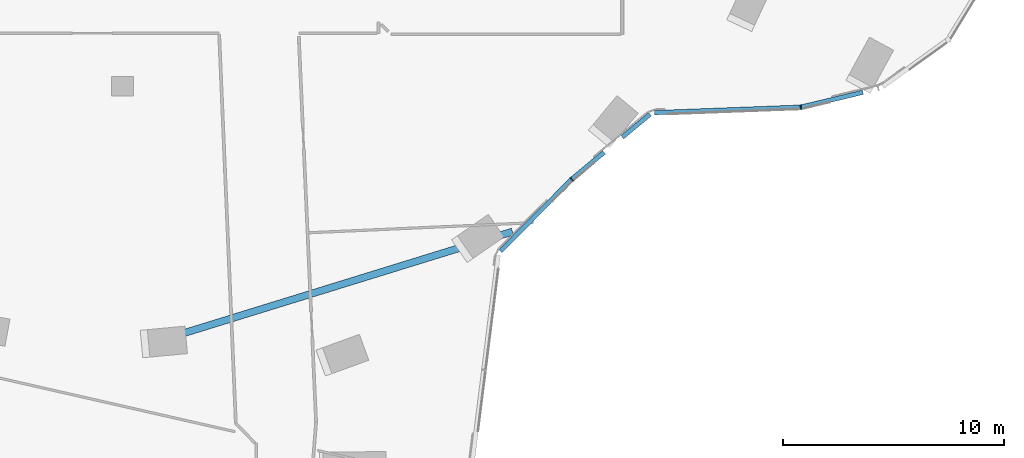
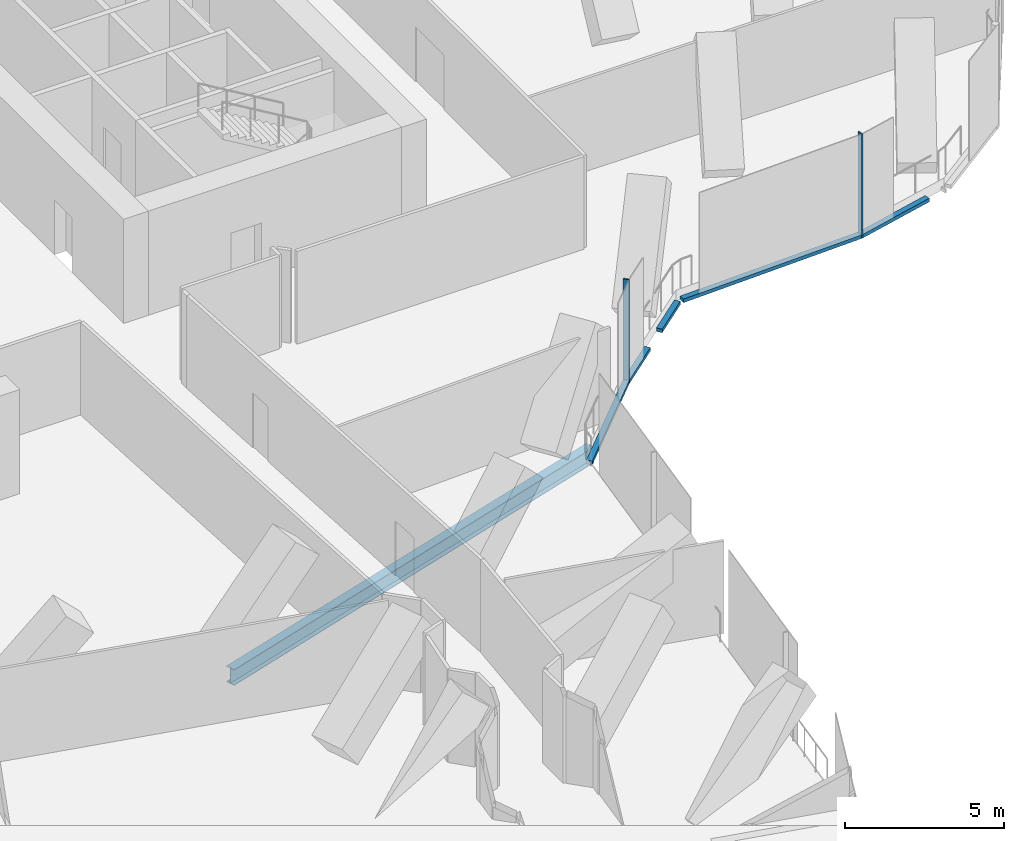
# One storey, part 7 of 29: 7 members, 1 beam, 4 elements without a shape of their own.
"""IFC4 building model written with IfcOpenShell, lengths in metres."""

from ifc_helpers import new_model, si_unit, direction, frame, origin, origin_2d, place, context, subcontext, project, spatial, rectangle, i_section, extrude, material, material_profile, profile_set, type_object, element, aggregate, save


model = new_model("IFC4")

# Units and contexts
model_context = context("Model", 3, precision=1e-05, world=origin(), true_north=direction((0.0, 1.0)))
body_context = subcontext(model_context, "Body", "Model", "MODEL_VIEW")
ifc_project = project(units=[si_unit("LENGTHUNIT", "METRE"), si_unit("AREAUNIT", "SQUARE_METRE"), si_unit("VOLUMEUNIT", "CUBIC_METRE"), si_unit("PLANEANGLEUNIT", "RADIAN"), si_unit("MASSUNIT", "GRAM", prefix="KILO")], contexts=[model_context])

# Site, building, storey
site_placement = place(None, origin())
site = spatial("IfcSite", under=ifc_project, at=site_placement, CompositionType="ELEMENT")
building_placement = place(site_placement, origin())
building = spatial("IfcBuilding", under=site, at=building_placement, Name="Orlundy Tower", CompositionType="ELEMENT")
storey_placement = place(building_placement, frame((0.0, 0.0, 184.60009765625)))
storey = spatial("IfcBuildingStorey", under=building, at=storey_placement, Name="L48", CompositionType="ELEMENT", Elevation=184.60009765625)

# Beam
ifc_material_1 = material(Name="Steel ASTM A992 Gr 50", Category="steel")
ifc_material_profile_1 = material_profile(ifc_material_1, i_section(OverallWidth=0.32373046875, OverallDepth=0.611083984375, WebThickness=0.0126953125, FlangeThickness=0.01904296875, at=origin_2d()), Name="W24X104")
ifc_profile_set_1 = profile_set([ifc_material_profile_1], Name="Steel ASTM A992 Gr 50")
beam_type = type_object("IfcBeamType", Name="CANTILEVER GIRDER beam W24X104", PredefinedType="BEAM", material=ifc_profile_set_1)
beam_placement = place(storey_placement, frame((17.67236328125, -24.5947265625, -0.7255859375), z_axis=(-0.955444160686, -0.295171908912, 0.0), x_axis=(0.295171908912, -0.955444160686, 0.0)))
element("IfcBeam", 1, at=beam_placement, inside=storey, type_object=beam_type, Name="Cantilever girder C-H09 L48", PredefinedType="BEAM", context=body_context, shape_type="SweptSolid", body=[
    extrude(i_section(OverallWidth=0.32373046875, OverallDepth=0.611083984375, WebThickness=0.0126953125, FlangeThickness=0.01904296875, at=origin_2d()), origin(), (0.0, 0.0, 1.0), 16.646484375),
])

# Curtain wall, member
ifc_material_2 = material(Name="Aluminium bronze anodised", Category="aluminium")
curtain_wall_type = type_object("IfcCurtainWallType", Name="CW5 wall", PredefinedType="NOTDEFINED", material=ifc_material_2)
curtain_wall_1_placement = place(storey_placement, origin())
curtain_wall_1 = element("IfcCurtainWall", 2, at=curtain_wall_1_placement, inside=storey, type_object=curtain_wall_type, Name="CW5 run 029", PredefinedType="NOTDEFINED")
ifc_material_3 = material(Name="Aluminium bronze anodised", Category="aluminium")
ifc_material_profile_2 = material_profile(ifc_material_3, rectangle(XDim=0.199951171875, YDim=0.050048828125, at=origin_2d()), Name="CW5 mullion 50x200")
ifc_profile_set_2 = profile_set([ifc_material_profile_2], Name="Aluminium bronze anodised")
member_type_1 = type_object("IfcMemberType", Name="CW5 mullion 50x200", PredefinedType="MULLION", material=ifc_profile_set_2)
member_1_placement = place(storey_placement, frame((30.74853515625, -18.95166015625, -0.420166015625), z_axis=(0.0, 0.0, 1.0), x_axis=(0.135671936692, -0.990753816846, 0.0)))
member_1 = element("IfcMember", 3, at=member_1_placement, type_object=member_type_1, Name="CW5 mullion 42", PredefinedType="MULLION", context=body_context, shape_type="SweptSolid", body=[
    extrude(rectangle(XDim=0.199951171875, YDim=0.050048828125, at=origin_2d()), origin(), (0.0, 0.0, 1.0), 4.0),
])

curtain_wall_2_placement = place(storey_placement, origin())
curtain_wall_2 = element("IfcCurtainWall", 4, at=curtain_wall_2_placement, inside=storey, type_object=curtain_wall_type, Name="CW5 run 031", PredefinedType="NOTDEFINED")
member_2_placement = place(storey_placement, frame((20.360595703125, -22.21875, -0.420166015625), z_axis=(0.0, 0.0, 1.0), x_axis=(0.675602104625, -0.737266435033, 0.0)))
member_2 = element("IfcMember", 5, at=member_2_placement, type_object=member_type_1, Name="CW5 mullion 44", PredefinedType="MULLION", context=body_context, shape_type="SweptSolid", body=[
    extrude(rectangle(XDim=0.199951171875, YDim=0.050048828125, at=origin_2d()), origin(), (0.0, 0.0, 1.0), 4.0),
])

curtain_wall_3_placement = place(storey_placement, origin())
curtain_wall_3 = element("IfcCurtainWall", 6, at=curtain_wall_3_placement, inside=storey, type_object=curtain_wall_type, Name="CW5 run 028", PredefinedType="NOTDEFINED")
ifc_material_4 = material(Name="Aluminium bronze anodised", Category="aluminium")
ifc_material_profile_3 = material_profile(ifc_material_4, rectangle(XDim=0.199951171875, YDim=0.139892578125, at=origin_2d()), Name="CW5 transom 200x140")
ifc_profile_set_3 = profile_set([ifc_material_profile_3], Name="Aluminium bronze anodised")
member_type_2 = type_object("IfcMemberType", Name="CW5 transom 200x140", PredefinedType="USERDEFINED", material=ifc_profile_set_3)
member_3_placement = place(storey_placement, frame((33.564697265625, -18.279052734375, -0.35009765625), z_axis=(-0.972645355037, -0.232295099659, 0.0), x_axis=(0.232295099659, -0.972645355037, 0.0)))
member_3 = element("IfcMember", 7, at=member_3_placement, type_object=member_type_2, Name="CW5 transom", ObjectType="TRANSOM", PredefinedType="USERDEFINED", context=body_context, shape_type="SweptSolid", body=[
    extrude(rectangle(XDim=0.199951171875, YDim=0.139892578125, at=origin_2d()), origin(), (0.0, 0.0, 1.0), 2.870361328125),
])
aggregate(curtain_wall_3, [member_3])

# Member
member_4_placement = place(storey_placement, frame((30.7236328125, -18.952392578125, -0.35009765625), z_axis=(-0.999287238376, -0.037749373757, 0.0), x_axis=(0.037749373757, -0.999287238376, 0.0)))
member_4 = element("IfcMember", 8, at=member_4_placement, type_object=member_type_2, Name="CW5 transom", ObjectType="TRANSOM", PredefinedType="USERDEFINED", context=body_context, shape_type="SweptSolid", body=[
    extrude(rectangle(XDim=0.199951171875, YDim=0.139892578125, at=origin_2d()), origin(), (0.0, 0.0, 1.0), 6.609619140625),
])

aggregate(curtain_wall_1, [member_1, member_4])

# Curtain wall, members
curtain_wall_4_placement = place(storey_placement, origin())
curtain_wall_4 = element("IfcCurtainWall", 9, at=curtain_wall_4_placement, inside=storey, type_object=curtain_wall_type, Name="CW5 run 030", PredefinedType="NOTDEFINED")
member_5_placement = place(storey_placement, frame((23.915771484375, -19.2705078125, -0.35009765625), z_axis=(-0.769734727915, -0.638363884193, 0.0), x_axis=(0.638363884193, -0.769734727915, 0.0)))
member_5 = element("IfcMember", 10, at=member_5_placement, type_object=member_type_2, Name="CW5 transom", ObjectType="TRANSOM", PredefinedType="USERDEFINED", context=body_context, shape_type="SweptSolid", body=[
    extrude(rectangle(XDim=0.199951171875, YDim=0.139892578125, at=origin_2d()), origin(), (0.0, 0.0, 1.0), 1.63720703125),
])
member_6_placement = place(storey_placement, frame((21.82958984375, -21.00048828125, -0.35009765625), z_axis=(-0.769706693191, -0.638397686757, 0.0), x_axis=(0.638397686757, -0.769706693191, 0.0)))
member_6 = element("IfcMember", 11, at=member_6_placement, type_object=member_type_2, Name="CW5 transom", ObjectType="TRANSOM", PredefinedType="USERDEFINED", context=body_context, shape_type="SweptSolid", body=[
    extrude(rectangle(XDim=0.199951171875, YDim=0.139892578125, at=origin_2d()), origin(), (0.0, 0.0, 1.0), 1.883544921875),
])
aggregate(curtain_wall_4, [member_5, member_6])

# Member
member_7_placement = place(storey_placement, frame((20.343017578125, -22.236572265625, -0.35009765625), z_axis=(-0.702981002484, -0.711208626316, 0.0), x_axis=(0.711208626316, -0.702981002484, 0.0)))
member_7 = element("IfcMember", 12, at=member_7_placement, type_object=member_type_2, Name="CW5 transom", ObjectType="TRANSOM", PredefinedType="USERDEFINED", context=body_context, shape_type="SweptSolid", body=[
    extrude(rectangle(XDim=0.199951171875, YDim=0.139892578125, at=origin_2d()), origin(), (0.0, 0.0, 1.0), 4.569580078125),
])

aggregate(curtain_wall_2, [member_2, member_7])

save(model, "model.ifc")
